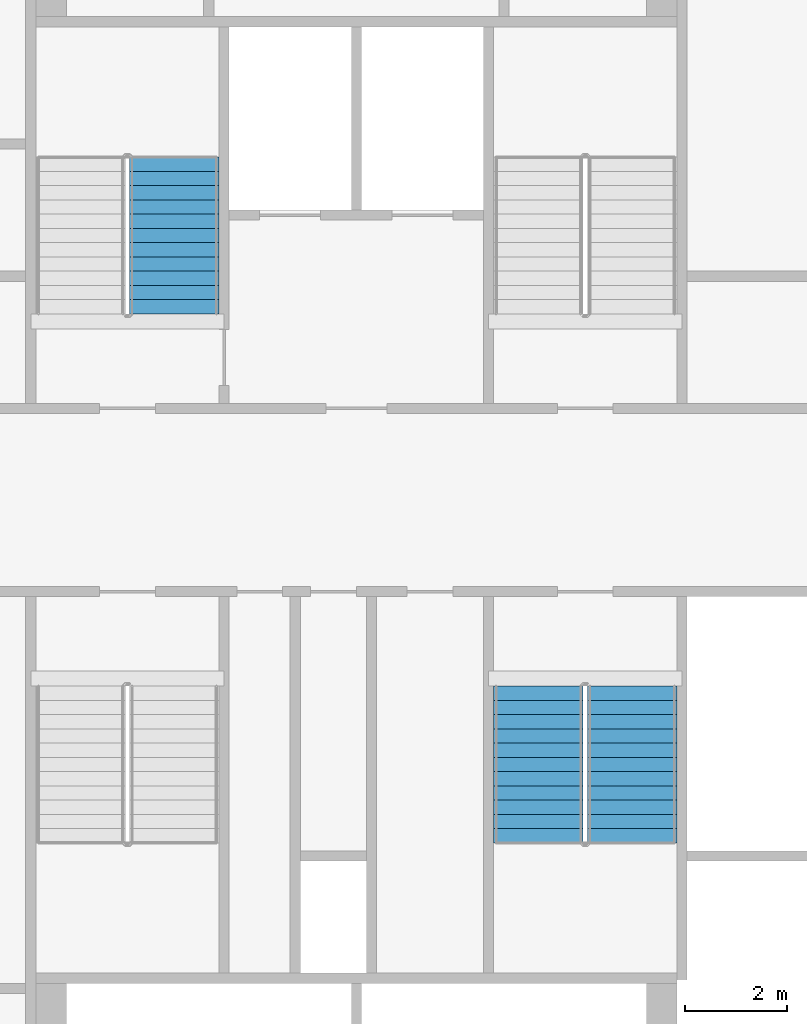
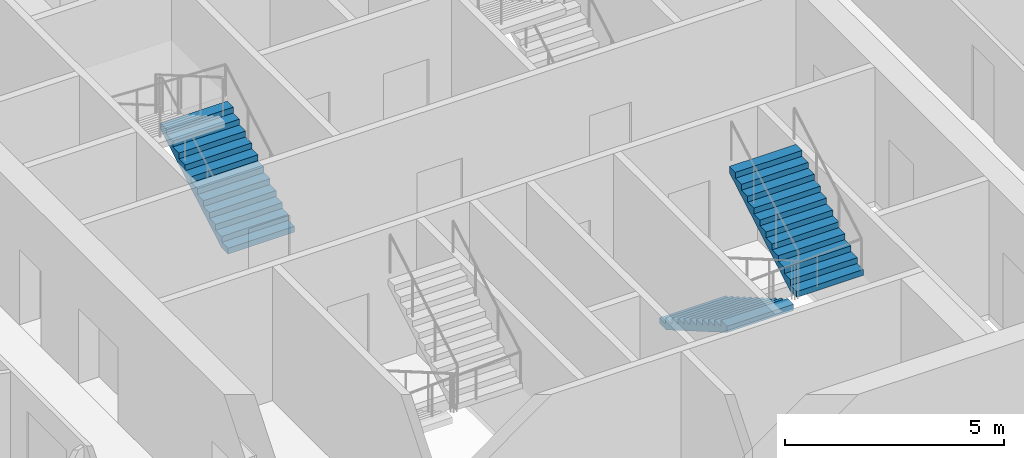
# One storey, part 9 of 15: 3 stair flights, 2 elements without a shape of their own.
"""IFC4 building model written with IfcOpenShell, lengths in metres."""

from ifc_helpers import new_model, si_unit, direction, frame, origin, place, context, subcontext, project, spatial, faceted_brep, material, type_object, element, aggregate, save


model = new_model("IFC4")

# Units and contexts
model_context = context("Model", 3, precision=1e-05, world=origin(), true_north=direction((0.0, 1.0)))
body_context = subcontext(model_context, "Body", "Model", "MODEL_VIEW")
ifc_project = project(units=[si_unit("LENGTHUNIT", "METRE"), si_unit("AREAUNIT", "SQUARE_METRE"), si_unit("VOLUMEUNIT", "CUBIC_METRE"), si_unit("PLANEANGLEUNIT", "RADIAN"), si_unit("MASSUNIT", "GRAM", prefix="KILO")], contexts=[model_context])

# Site, building, storey
site_placement = place(None, origin())
site = spatial("IfcSite", under=ifc_project, at=site_placement, CompositionType="ELEMENT")
building_placement = place(site_placement, origin())
building = spatial("IfcBuilding", under=site, at=building_placement, Name="Tarsis Ring Headquarters", CompositionType="ELEMENT")
storey_placement = place(building_placement, frame((0.0, 0.0, 212.10009765625)))
storey = spatial("IfcBuildingStorey", under=building, at=storey_placement, Name="L49", CompositionType="ELEMENT", Elevation=212.10009765625)

# Stair, stair flight
ifc_material_1 = material(Name="Core stair 1760")
stair_type = type_object("IfcStairType", Name="Core stair 1760", PredefinedType="HALF_TURN_STAIR", material=ifc_material_1)
stair_1_placement = place(storey_placement, origin())
stair_1 = element("IfcStair", 1, at=stair_1_placement, inside=storey, type_object=stair_type, Name="L49 Firefighting stair", PredefinedType="HALF_TURN_STAIR")
ifc_material_2 = material(Name="Concrete C40/50", Category="concrete")
stair_flight_type = type_object("IfcStairFlightType", Name="Core stair flight 1760", PredefinedType="STRAIGHT", material=ifc_material_2)
stair_flight_1_placement = place(storey_placement, frame((-3.580078125, 3.659912109375, 0.0), z_axis=(0.0, 0.0, 1.0), x_axis=(0.0, 1.0, 0.0)))
stair_flight_1 = element("IfcStairFlight", 2, at=stair_flight_1_placement, type_object=stair_flight_type, Name="Stair ST1 flight 1", NumberOfRisers=12, NumberOfTreads=11, PredefinedType="STRAIGHT", RiserHeight=0.1625, TreadLength=0.28, context=body_context, shape_type="Brep", body=[
    faceted_brep([(0.0, 0.8798828125, 0.0), (0.0, 0.8798828125, 0.16259765625), (0.280029296875, 0.8798828125, 0.16259765625), (0.280029296875, 0.8798828125, 0.324951171875), (0.56005859375, 0.8798828125, 0.324951171875), (0.56005859375, 0.8798828125, 0.487548828125), (0.840087890625, 0.8798828125, 0.487548828125), (0.840087890625, 0.8798828125, 0.64990234375), (1.1201171875, 0.8798828125, 0.64990234375), (1.1201171875, 0.8798828125, 0.8125), (1.39990234375, 0.8798828125, 0.8125), (1.39990234375, 0.8798828125, 0.97509765625), (1.679931640625, 0.8798828125, 0.97509765625), (1.679931640625, 0.8798828125, 1.137451171875), (1.9599609375, 0.8798828125, 1.137451171875), (1.9599609375, 0.8798828125, 1.300048828125), (2.239990234375, 0.8798828125, 1.300048828125), (2.239990234375, 0.8798828125, 1.46240234375), (2.52001953125, 0.8798828125, 1.46240234375), (2.52001953125, 0.8798828125, 1.625), (2.800048828125, 0.8798828125, 1.625), (2.800048828125, 0.8798828125, 1.78759765625), (3.080078125, 0.8798828125, 1.78759765625), (3.080078125, 0.8798828125, 1.6142578125), (0.298583984375, 0.8798828125, 0.0), (0.298583984375, -0.8798828125, 0.0), (3.080078125, -0.8798828125, 1.6142578125), (3.080078125, -0.8798828125, 1.78759765625), (2.800048828125, -0.8798828125, 1.78759765625), (2.800048828125, -0.8798828125, 1.625), (2.52001953125, -0.8798828125, 1.625), (2.52001953125, -0.8798828125, 1.46240234375), (2.239990234375, -0.8798828125, 1.46240234375), (2.239990234375, -0.8798828125, 1.300048828125), (1.9599609375, -0.8798828125, 1.300048828125), (1.9599609375, -0.8798828125, 1.137451171875), (1.679931640625, -0.8798828125, 1.137451171875), (1.679931640625, -0.8798828125, 0.97509765625), (1.39990234375, -0.8798828125, 0.97509765625), (1.39990234375, -0.8798828125, 0.8125), (1.1201171875, -0.8798828125, 0.8125), (1.1201171875, -0.8798828125, 0.64990234375), (0.840087890625, -0.8798828125, 0.64990234375), (0.840087890625, -0.8798828125, 0.487548828125), (0.56005859375, -0.8798828125, 0.487548828125), (0.56005859375, -0.8798828125, 0.324951171875), (0.280029296875, -0.8798828125, 0.324951171875), (0.280029296875, -0.8798828125, 0.16259765625), (0.0, -0.8798828125, 0.16259765625), (0.0, -0.8798828125, 0.0), (0.0, -0.43994140625, 0.16259765625), (0.0, -0.43994140625, 0.0), (0.0, 0.0, 0.16259765625), (0.0, 0.0, 0.0), (0.0, 0.43994140625, 0.16259765625), (0.0, 0.43994140625, 0.0), (0.280029296875, -0.43994140625, 0.16259765625), (0.280029296875, 0.0, 0.16259765625), (0.280029296875, 0.43994140625, 0.16259765625), (0.280029296875, -0.43994140625, 0.324951171875), (0.280029296875, 0.0, 0.324951171875), (0.280029296875, 0.43994140625, 0.324951171875), (0.56005859375, -0.43994140625, 0.324951171875), (0.56005859375, 0.0, 0.324951171875), (0.56005859375, 0.43994140625, 0.324951171875), (0.56005859375, -0.43994140625, 0.487548828125), (0.56005859375, 0.0, 0.487548828125), (0.56005859375, 0.43994140625, 0.487548828125), (0.840087890625, -0.43994140625, 0.487548828125), (0.840087890625, 0.0, 0.487548828125), (0.840087890625, 0.43994140625, 0.487548828125), (0.840087890625, -0.43994140625, 0.64990234375), (0.840087890625, 0.0, 0.64990234375), (0.840087890625, 0.43994140625, 0.64990234375), (1.1201171875, -0.43994140625, 0.64990234375), (1.1201171875, 0.0, 0.64990234375), (1.1201171875, 0.43994140625, 0.64990234375), (1.1201171875, -0.43994140625, 0.8125), (1.1201171875, 0.0, 0.8125), (1.1201171875, 0.43994140625, 0.8125), (1.39990234375, -0.43994140625, 0.8125), (1.39990234375, 0.0, 0.8125), (1.39990234375, 0.43994140625, 0.8125), (1.39990234375, -0.43994140625, 0.97509765625), (1.39990234375, 0.0, 0.97509765625), (1.39990234375, 0.43994140625, 0.97509765625), (1.679931640625, -0.43994140625, 0.97509765625), (1.679931640625, 0.0, 0.97509765625), (1.679931640625, 0.43994140625, 0.97509765625), (1.679931640625, -0.43994140625, 1.137451171875), (1.679931640625, 0.0, 1.137451171875), (1.679931640625, 0.43994140625, 1.137451171875), (1.9599609375, -0.43994140625, 1.137451171875), (1.9599609375, 0.0, 1.137451171875), (1.9599609375, 0.43994140625, 1.137451171875), (1.9599609375, -0.43994140625, 1.300048828125), (1.9599609375, 0.0, 1.300048828125), (1.9599609375, 0.43994140625, 1.300048828125), (2.239990234375, -0.43994140625, 1.300048828125), (2.239990234375, 0.0, 1.300048828125), (2.239990234375, 0.43994140625, 1.300048828125), (2.239990234375, -0.43994140625, 1.46240234375), (2.239990234375, 0.0, 1.46240234375), (2.239990234375, 0.43994140625, 1.46240234375), (2.52001953125, -0.43994140625, 1.46240234375), (2.52001953125, 0.0, 1.46240234375), (2.52001953125, 0.43994140625, 1.46240234375), (2.52001953125, -0.43994140625, 1.625), (2.52001953125, 0.0, 1.625), (2.52001953125, 0.43994140625, 1.625), (2.800048828125, -0.43994140625, 1.625), (2.800048828125, 0.0, 1.625), (2.800048828125, 0.43994140625, 1.625), (2.800048828125, -0.43994140625, 1.78759765625), (2.800048828125, 0.0, 1.78759765625), (2.800048828125, 0.43994140625, 1.78759765625), (3.080078125, -0.43994140625, 1.78759765625), (3.080078125, 0.0, 1.78759765625), (3.080078125, 0.43994140625, 1.78759765625), (3.080078125, -0.43994140625, 1.6142578125), (3.080078125, 0.0, 1.6142578125), (3.080078125, 0.43994140625, 1.6142578125), (0.298583984375, -0.43994140625, 0.0), (0.298583984375, 0.0, 0.0), (0.298583984375, 0.43994140625, 0.0)], [[[0, 1, 2, 3, 4, 5, 6, 7, 8, 9, 10, 11, 12, 13, 14, 15, 16, 17, 18, 19, 20, 21, 22, 23, 24]], [[25, 26, 27, 28, 29, 30, 31, 32, 33, 34, 35, 36, 37, 38, 39, 40, 41, 42, 43, 44, 45, 46, 47, 48, 49]], [[49, 48, 50, 51]], [[51, 50, 52, 53]], [[53, 52, 54, 55]], [[55, 54, 1, 0]], [[48, 47, 56, 50]], [[50, 56, 57, 52]], [[52, 57, 58, 54]], [[54, 58, 2, 1]], [[47, 46, 59, 56]], [[56, 59, 60, 57]], [[57, 60, 61, 58]], [[58, 61, 3, 2]], [[46, 45, 62, 59]], [[59, 62, 63, 60]], [[60, 63, 64, 61]], [[61, 64, 4, 3]], [[45, 44, 65, 62]], [[62, 65, 66, 63]], [[63, 66, 67, 64]], [[64, 67, 5, 4]], [[44, 43, 68, 65]], [[65, 68, 69, 66]], [[66, 69, 70, 67]], [[67, 70, 6, 5]], [[43, 42, 71, 68]], [[68, 71, 72, 69]], [[69, 72, 73, 70]], [[70, 73, 7, 6]], [[42, 41, 74, 71]], [[71, 74, 75, 72]], [[72, 75, 76, 73]], [[73, 76, 8, 7]], [[41, 40, 77, 74]], [[74, 77, 78, 75]], [[75, 78, 79, 76]], [[76, 79, 9, 8]], [[40, 39, 80, 77]], [[77, 80, 81, 78]], [[78, 81, 82, 79]], [[79, 82, 10, 9]], [[39, 38, 83, 80]], [[80, 83, 84, 81]], [[81, 84, 85, 82]], [[82, 85, 11, 10]], [[38, 37, 86, 83]], [[83, 86, 87, 84]], [[84, 87, 88, 85]], [[85, 88, 12, 11]], [[37, 36, 89, 86]], [[86, 89, 90, 87]], [[87, 90, 91, 88]], [[88, 91, 13, 12]], [[36, 35, 92, 89]], [[89, 92, 93, 90]], [[90, 93, 94, 91]], [[91, 94, 14, 13]], [[35, 34, 95, 92]], [[92, 95, 96, 93]], [[93, 96, 97, 94]], [[94, 97, 15, 14]], [[34, 33, 98, 95]], [[95, 98, 99, 96]], [[96, 99, 100, 97]], [[97, 100, 16, 15]], [[33, 32, 101, 98]], [[98, 101, 102, 99]], [[99, 102, 103, 100]], [[100, 103, 17, 16]], [[32, 31, 104, 101]], [[101, 104, 105, 102]], [[102, 105, 106, 103]], [[103, 106, 18, 17]], [[31, 30, 107, 104]], [[104, 107, 108, 105]], [[105, 108, 109, 106]], [[106, 109, 19, 18]], [[30, 29, 110, 107]], [[107, 110, 111, 108]], [[108, 111, 112, 109]], [[109, 112, 20, 19]], [[29, 28, 113, 110]], [[110, 113, 114, 111]], [[111, 114, 115, 112]], [[112, 115, 21, 20]], [[28, 27, 116, 113]], [[113, 116, 117, 114]], [[114, 117, 118, 115]], [[115, 118, 22, 21]], [[27, 26, 119, 116]], [[116, 119, 120, 117]], [[117, 120, 121, 118]], [[118, 121, 23, 22]], [[26, 25, 122, 119]], [[119, 122, 123, 120]], [[120, 123, 124, 121]], [[121, 124, 24, 23]], [[25, 49, 51, 122]], [[122, 51, 53, 123]], [[123, 53, 55, 124]], [[124, 55, 0, 24]]]),
])
aggregate(stair_1, [stair_flight_1])

# Stair, stair flights
stair_2_placement = place(storey_placement, origin())
stair_2 = element("IfcStair", 3, at=stair_2_placement, inside=storey, type_object=stair_type, Name="L49 Exit stair D", PredefinedType="HALF_TURN_STAIR")
stair_flight_2_placement = place(storey_placement, frame((3.580078125, -3.659912109375, 0.0), z_axis=(0.0, 0.0, 1.0), x_axis=(0.0, -1.0, 0.0)))
stair_flight_2 = element("IfcStairFlight", 4, at=stair_flight_2_placement, type_object=stair_flight_type, Name="Stair ST4 flight 1", NumberOfRisers=12, NumberOfTreads=11, PredefinedType="STRAIGHT", RiserHeight=0.1625, TreadLength=0.28, context=body_context, shape_type="Brep", body=[
    faceted_brep([(0.0, 0.8798828125, 0.0), (0.0, 0.8798828125, 0.16259765625), (0.280029296875, 0.8798828125, 0.16259765625), (0.280029296875, 0.8798828125, 0.324951171875), (0.56005859375, 0.8798828125, 0.324951171875), (0.56005859375, 0.8798828125, 0.487548828125), (0.840087890625, 0.8798828125, 0.487548828125), (0.840087890625, 0.8798828125, 0.64990234375), (1.1201171875, 0.8798828125, 0.64990234375), (1.1201171875, 0.8798828125, 0.8125), (1.39990234375, 0.8798828125, 0.8125), (1.39990234375, 0.8798828125, 0.97509765625), (1.679931640625, 0.8798828125, 0.97509765625), (1.679931640625, 0.8798828125, 1.137451171875), (1.9599609375, 0.8798828125, 1.137451171875), (1.9599609375, 0.8798828125, 1.300048828125), (2.239990234375, 0.8798828125, 1.300048828125), (2.239990234375, 0.8798828125, 1.46240234375), (2.52001953125, 0.8798828125, 1.46240234375), (2.52001953125, 0.8798828125, 1.625), (2.800048828125, 0.8798828125, 1.625), (2.800048828125, 0.8798828125, 1.78759765625), (3.080078125, 0.8798828125, 1.78759765625), (3.080078125, 0.8798828125, 1.6142578125), (0.298583984375, 0.8798828125, 0.0), (0.298583984375, -0.8798828125, 0.0), (3.080078125, -0.8798828125, 1.6142578125), (3.080078125, -0.8798828125, 1.78759765625), (2.800048828125, -0.8798828125, 1.78759765625), (2.800048828125, -0.8798828125, 1.625), (2.52001953125, -0.8798828125, 1.625), (2.52001953125, -0.8798828125, 1.46240234375), (2.239990234375, -0.8798828125, 1.46240234375), (2.239990234375, -0.8798828125, 1.300048828125), (1.9599609375, -0.8798828125, 1.300048828125), (1.9599609375, -0.8798828125, 1.137451171875), (1.679931640625, -0.8798828125, 1.137451171875), (1.679931640625, -0.8798828125, 0.97509765625), (1.39990234375, -0.8798828125, 0.97509765625), (1.39990234375, -0.8798828125, 0.8125), (1.1201171875, -0.8798828125, 0.8125), (1.1201171875, -0.8798828125, 0.64990234375), (0.840087890625, -0.8798828125, 0.64990234375), (0.840087890625, -0.8798828125, 0.487548828125), (0.56005859375, -0.8798828125, 0.487548828125), (0.56005859375, -0.8798828125, 0.324951171875), (0.280029296875, -0.8798828125, 0.324951171875), (0.280029296875, -0.8798828125, 0.16259765625), (0.0, -0.8798828125, 0.16259765625), (0.0, -0.8798828125, 0.0), (0.0, -0.43994140625, 0.16259765625), (0.0, -0.43994140625, 0.0), (0.0, 0.0, 0.16259765625), (0.0, 0.0, 0.0), (0.0, 0.43994140625, 0.16259765625), (0.0, 0.43994140625, 0.0), (0.280029296875, -0.43994140625, 0.16259765625), (0.280029296875, 0.0, 0.16259765625), (0.280029296875, 0.43994140625, 0.16259765625), (0.280029296875, -0.43994140625, 0.324951171875), (0.280029296875, 0.0, 0.324951171875), (0.280029296875, 0.43994140625, 0.324951171875), (0.56005859375, -0.43994140625, 0.324951171875), (0.56005859375, 0.0, 0.324951171875), (0.56005859375, 0.43994140625, 0.324951171875), (0.56005859375, -0.43994140625, 0.487548828125), (0.56005859375, 0.0, 0.487548828125), (0.56005859375, 0.43994140625, 0.487548828125), (0.840087890625, -0.43994140625, 0.487548828125), (0.840087890625, 0.0, 0.487548828125), (0.840087890625, 0.43994140625, 0.487548828125), (0.840087890625, -0.43994140625, 0.64990234375), (0.840087890625, 0.0, 0.64990234375), (0.840087890625, 0.43994140625, 0.64990234375), (1.1201171875, -0.43994140625, 0.64990234375), (1.1201171875, 0.0, 0.64990234375), (1.1201171875, 0.43994140625, 0.64990234375), (1.1201171875, -0.43994140625, 0.8125), (1.1201171875, 0.0, 0.8125), (1.1201171875, 0.43994140625, 0.8125), (1.39990234375, -0.43994140625, 0.8125), (1.39990234375, 0.0, 0.8125), (1.39990234375, 0.43994140625, 0.8125), (1.39990234375, -0.43994140625, 0.97509765625), (1.39990234375, 0.0, 0.97509765625), (1.39990234375, 0.43994140625, 0.97509765625), (1.679931640625, -0.43994140625, 0.97509765625), (1.679931640625, 0.0, 0.97509765625), (1.679931640625, 0.43994140625, 0.97509765625), (1.679931640625, -0.43994140625, 1.137451171875), (1.679931640625, 0.0, 1.137451171875), (1.679931640625, 0.43994140625, 1.137451171875), (1.9599609375, -0.43994140625, 1.137451171875), (1.9599609375, 0.0, 1.137451171875), (1.9599609375, 0.43994140625, 1.137451171875), (1.9599609375, -0.43994140625, 1.300048828125), (1.9599609375, 0.0, 1.300048828125), (1.9599609375, 0.43994140625, 1.300048828125), (2.239990234375, -0.43994140625, 1.300048828125), (2.239990234375, 0.0, 1.300048828125), (2.239990234375, 0.43994140625, 1.300048828125), (2.239990234375, -0.43994140625, 1.46240234375), (2.239990234375, 0.0, 1.46240234375), (2.239990234375, 0.43994140625, 1.46240234375), (2.52001953125, -0.43994140625, 1.46240234375), (2.52001953125, 0.0, 1.46240234375), (2.52001953125, 0.43994140625, 1.46240234375), (2.52001953125, -0.43994140625, 1.625), (2.52001953125, 0.0, 1.625), (2.52001953125, 0.43994140625, 1.625), (2.800048828125, -0.43994140625, 1.625), (2.800048828125, 0.0, 1.625), (2.800048828125, 0.43994140625, 1.625), (2.800048828125, -0.43994140625, 1.78759765625), (2.800048828125, 0.0, 1.78759765625), (2.800048828125, 0.43994140625, 1.78759765625), (3.080078125, -0.43994140625, 1.78759765625), (3.080078125, 0.0, 1.78759765625), (3.080078125, 0.43994140625, 1.78759765625), (3.080078125, -0.43994140625, 1.6142578125), (3.080078125, 0.0, 1.6142578125), (3.080078125, 0.43994140625, 1.6142578125), (0.298583984375, -0.43994140625, 0.0), (0.298583984375, 0.0, 0.0), (0.298583984375, 0.43994140625, 0.0)], [[[0, 1, 2, 3, 4, 5, 6, 7, 8, 9, 10, 11, 12, 13, 14, 15, 16, 17, 18, 19, 20, 21, 22, 23, 24]], [[25, 26, 27, 28, 29, 30, 31, 32, 33, 34, 35, 36, 37, 38, 39, 40, 41, 42, 43, 44, 45, 46, 47, 48, 49]], [[49, 48, 50, 51]], [[51, 50, 52, 53]], [[53, 52, 54, 55]], [[55, 54, 1, 0]], [[48, 47, 56, 50]], [[50, 56, 57, 52]], [[52, 57, 58, 54]], [[54, 58, 2, 1]], [[47, 46, 59, 56]], [[56, 59, 60, 57]], [[57, 60, 61, 58]], [[58, 61, 3, 2]], [[46, 45, 62, 59]], [[59, 62, 63, 60]], [[60, 63, 64, 61]], [[61, 64, 4, 3]], [[45, 44, 65, 62]], [[62, 65, 66, 63]], [[63, 66, 67, 64]], [[64, 67, 5, 4]], [[44, 43, 68, 65]], [[65, 68, 69, 66]], [[66, 69, 70, 67]], [[67, 70, 6, 5]], [[43, 42, 71, 68]], [[68, 71, 72, 69]], [[69, 72, 73, 70]], [[70, 73, 7, 6]], [[42, 41, 74, 71]], [[71, 74, 75, 72]], [[72, 75, 76, 73]], [[73, 76, 8, 7]], [[41, 40, 77, 74]], [[74, 77, 78, 75]], [[75, 78, 79, 76]], [[76, 79, 9, 8]], [[40, 39, 80, 77]], [[77, 80, 81, 78]], [[78, 81, 82, 79]], [[79, 82, 10, 9]], [[39, 38, 83, 80]], [[80, 83, 84, 81]], [[81, 84, 85, 82]], [[82, 85, 11, 10]], [[38, 37, 86, 83]], [[83, 86, 87, 84]], [[84, 87, 88, 85]], [[85, 88, 12, 11]], [[37, 36, 89, 86]], [[86, 89, 90, 87]], [[87, 90, 91, 88]], [[88, 91, 13, 12]], [[36, 35, 92, 89]], [[89, 92, 93, 90]], [[90, 93, 94, 91]], [[91, 94, 14, 13]], [[35, 34, 95, 92]], [[92, 95, 96, 93]], [[93, 96, 97, 94]], [[94, 97, 15, 14]], [[34, 33, 98, 95]], [[95, 98, 99, 96]], [[96, 99, 100, 97]], [[97, 100, 16, 15]], [[33, 32, 101, 98]], [[98, 101, 102, 99]], [[99, 102, 103, 100]], [[100, 103, 17, 16]], [[32, 31, 104, 101]], [[101, 104, 105, 102]], [[102, 105, 106, 103]], [[103, 106, 18, 17]], [[31, 30, 107, 104]], [[104, 107, 108, 105]], [[105, 108, 109, 106]], [[106, 109, 19, 18]], [[30, 29, 110, 107]], [[107, 110, 111, 108]], [[108, 111, 112, 109]], [[109, 112, 20, 19]], [[29, 28, 113, 110]], [[110, 113, 114, 111]], [[111, 114, 115, 112]], [[112, 115, 21, 20]], [[28, 27, 116, 113]], [[113, 116, 117, 114]], [[114, 117, 118, 115]], [[115, 118, 22, 21]], [[27, 26, 119, 116]], [[116, 119, 120, 117]], [[117, 120, 121, 118]], [[118, 121, 23, 22]], [[26, 25, 122, 119]], [[119, 122, 123, 120]], [[120, 123, 124, 121]], [[121, 124, 24, 23]], [[25, 49, 51, 122]], [[122, 51, 53, 123]], [[123, 53, 55, 124]], [[124, 55, 0, 24]]]),
])
stair_flight_3_placement = place(storey_placement, frame((5.419921875, -6.739990234375, 1.949951171875), z_axis=(0.0, 0.0, 1.0), x_axis=(0.0, 1.0, 0.0)))
stair_flight_3 = element("IfcStairFlight", 5, at=stair_flight_3_placement, type_object=stair_flight_type, Name="Stair ST4 flight 2", NumberOfRisers=12, NumberOfTreads=11, PredefinedType="STRAIGHT", RiserHeight=0.1625, TreadLength=0.28, context=body_context, shape_type="Brep", body=[
    faceted_brep([(0.0, 0.8798828125, 0.0), (0.0, 0.8798828125, 0.16259765625), (0.280029296875, 0.8798828125, 0.16259765625), (0.280029296875, 0.8798828125, 0.324951171875), (0.56005859375, 0.8798828125, 0.324951171875), (0.56005859375, 0.8798828125, 0.487548828125), (0.840087890625, 0.8798828125, 0.487548828125), (0.840087890625, 0.8798828125, 0.64990234375), (1.1201171875, 0.8798828125, 0.64990234375), (1.1201171875, 0.8798828125, 0.8125), (1.39990234375, 0.8798828125, 0.8125), (1.39990234375, 0.8798828125, 0.97509765625), (1.679931640625, 0.8798828125, 0.97509765625), (1.679931640625, 0.8798828125, 1.137451171875), (1.9599609375, 0.8798828125, 1.137451171875), (1.9599609375, 0.8798828125, 1.300048828125), (2.239990234375, 0.8798828125, 1.300048828125), (2.239990234375, 0.8798828125, 1.46240234375), (2.52001953125, 0.8798828125, 1.46240234375), (2.52001953125, 0.8798828125, 1.625), (2.800048828125, 0.8798828125, 1.625), (2.800048828125, 0.8798828125, 1.78759765625), (3.080078125, 0.8798828125, 1.78759765625), (3.080078125, 0.8798828125, 1.6142578125), (0.298583984375, 0.8798828125, 0.0), (0.298583984375, -0.8798828125, 0.0), (3.080078125, -0.8798828125, 1.6142578125), (3.080078125, -0.8798828125, 1.78759765625), (2.800048828125, -0.8798828125, 1.78759765625), (2.800048828125, -0.8798828125, 1.625), (2.52001953125, -0.8798828125, 1.625), (2.52001953125, -0.8798828125, 1.46240234375), (2.239990234375, -0.8798828125, 1.46240234375), (2.239990234375, -0.8798828125, 1.300048828125), (1.9599609375, -0.8798828125, 1.300048828125), (1.9599609375, -0.8798828125, 1.137451171875), (1.679931640625, -0.8798828125, 1.137451171875), (1.679931640625, -0.8798828125, 0.97509765625), (1.39990234375, -0.8798828125, 0.97509765625), (1.39990234375, -0.8798828125, 0.8125), (1.1201171875, -0.8798828125, 0.8125), (1.1201171875, -0.8798828125, 0.64990234375), (0.840087890625, -0.8798828125, 0.64990234375), (0.840087890625, -0.8798828125, 0.487548828125), (0.56005859375, -0.8798828125, 0.487548828125), (0.56005859375, -0.8798828125, 0.324951171875), (0.280029296875, -0.8798828125, 0.324951171875), (0.280029296875, -0.8798828125, 0.16259765625), (0.0, -0.8798828125, 0.16259765625), (0.0, -0.8798828125, 0.0), (0.0, -0.43994140625, 0.16259765625), (0.0, -0.43994140625, 0.0), (0.0, 0.0, 0.16259765625), (0.0, 0.0, 0.0), (0.0, 0.43994140625, 0.16259765625), (0.0, 0.43994140625, 0.0), (0.280029296875, -0.43994140625, 0.16259765625), (0.280029296875, 0.0, 0.16259765625), (0.280029296875, 0.43994140625, 0.16259765625), (0.280029296875, -0.43994140625, 0.324951171875), (0.280029296875, 0.0, 0.324951171875), (0.280029296875, 0.43994140625, 0.324951171875), (0.56005859375, -0.43994140625, 0.324951171875), (0.56005859375, 0.0, 0.324951171875), (0.56005859375, 0.43994140625, 0.324951171875), (0.56005859375, -0.43994140625, 0.487548828125), (0.56005859375, 0.0, 0.487548828125), (0.56005859375, 0.43994140625, 0.487548828125), (0.840087890625, -0.43994140625, 0.487548828125), (0.840087890625, 0.0, 0.487548828125), (0.840087890625, 0.43994140625, 0.487548828125), (0.840087890625, -0.43994140625, 0.64990234375), (0.840087890625, 0.0, 0.64990234375), (0.840087890625, 0.43994140625, 0.64990234375), (1.1201171875, -0.43994140625, 0.64990234375), (1.1201171875, 0.0, 0.64990234375), (1.1201171875, 0.43994140625, 0.64990234375), (1.1201171875, -0.43994140625, 0.8125), (1.1201171875, 0.0, 0.8125), (1.1201171875, 0.43994140625, 0.8125), (1.39990234375, -0.43994140625, 0.8125), (1.39990234375, 0.0, 0.8125), (1.39990234375, 0.43994140625, 0.8125), (1.39990234375, -0.43994140625, 0.97509765625), (1.39990234375, 0.0, 0.97509765625), (1.39990234375, 0.43994140625, 0.97509765625), (1.679931640625, -0.43994140625, 0.97509765625), (1.679931640625, 0.0, 0.97509765625), (1.679931640625, 0.43994140625, 0.97509765625), (1.679931640625, -0.43994140625, 1.137451171875), (1.679931640625, 0.0, 1.137451171875), (1.679931640625, 0.43994140625, 1.137451171875), (1.9599609375, -0.43994140625, 1.137451171875), (1.9599609375, 0.0, 1.137451171875), (1.9599609375, 0.43994140625, 1.137451171875), (1.9599609375, -0.43994140625, 1.300048828125), (1.9599609375, 0.0, 1.300048828125), (1.9599609375, 0.43994140625, 1.300048828125), (2.239990234375, -0.43994140625, 1.300048828125), (2.239990234375, 0.0, 1.300048828125), (2.239990234375, 0.43994140625, 1.300048828125), (2.239990234375, -0.43994140625, 1.46240234375), (2.239990234375, 0.0, 1.46240234375), (2.239990234375, 0.43994140625, 1.46240234375), (2.52001953125, -0.43994140625, 1.46240234375), (2.52001953125, 0.0, 1.46240234375), (2.52001953125, 0.43994140625, 1.46240234375), (2.52001953125, -0.43994140625, 1.625), (2.52001953125, 0.0, 1.625), (2.52001953125, 0.43994140625, 1.625), (2.800048828125, -0.43994140625, 1.625), (2.800048828125, 0.0, 1.625), (2.800048828125, 0.43994140625, 1.625), (2.800048828125, -0.43994140625, 1.78759765625), (2.800048828125, 0.0, 1.78759765625), (2.800048828125, 0.43994140625, 1.78759765625), (3.080078125, -0.43994140625, 1.78759765625), (3.080078125, 0.0, 1.78759765625), (3.080078125, 0.43994140625, 1.78759765625), (3.080078125, -0.43994140625, 1.6142578125), (3.080078125, 0.0, 1.6142578125), (3.080078125, 0.43994140625, 1.6142578125), (0.298583984375, -0.43994140625, 0.0), (0.298583984375, 0.0, 0.0), (0.298583984375, 0.43994140625, 0.0)], [[[0, 1, 2, 3, 4, 5, 6, 7, 8, 9, 10, 11, 12, 13, 14, 15, 16, 17, 18, 19, 20, 21, 22, 23, 24]], [[25, 26, 27, 28, 29, 30, 31, 32, 33, 34, 35, 36, 37, 38, 39, 40, 41, 42, 43, 44, 45, 46, 47, 48, 49]], [[49, 48, 50, 51]], [[51, 50, 52, 53]], [[53, 52, 54, 55]], [[55, 54, 1, 0]], [[48, 47, 56, 50]], [[50, 56, 57, 52]], [[52, 57, 58, 54]], [[54, 58, 2, 1]], [[47, 46, 59, 56]], [[56, 59, 60, 57]], [[57, 60, 61, 58]], [[58, 61, 3, 2]], [[46, 45, 62, 59]], [[59, 62, 63, 60]], [[60, 63, 64, 61]], [[61, 64, 4, 3]], [[45, 44, 65, 62]], [[62, 65, 66, 63]], [[63, 66, 67, 64]], [[64, 67, 5, 4]], [[44, 43, 68, 65]], [[65, 68, 69, 66]], [[66, 69, 70, 67]], [[67, 70, 6, 5]], [[43, 42, 71, 68]], [[68, 71, 72, 69]], [[69, 72, 73, 70]], [[70, 73, 7, 6]], [[42, 41, 74, 71]], [[71, 74, 75, 72]], [[72, 75, 76, 73]], [[73, 76, 8, 7]], [[41, 40, 77, 74]], [[74, 77, 78, 75]], [[75, 78, 79, 76]], [[76, 79, 9, 8]], [[40, 39, 80, 77]], [[77, 80, 81, 78]], [[78, 81, 82, 79]], [[79, 82, 10, 9]], [[39, 38, 83, 80]], [[80, 83, 84, 81]], [[81, 84, 85, 82]], [[82, 85, 11, 10]], [[38, 37, 86, 83]], [[83, 86, 87, 84]], [[84, 87, 88, 85]], [[85, 88, 12, 11]], [[37, 36, 89, 86]], [[86, 89, 90, 87]], [[87, 90, 91, 88]], [[88, 91, 13, 12]], [[36, 35, 92, 89]], [[89, 92, 93, 90]], [[90, 93, 94, 91]], [[91, 94, 14, 13]], [[35, 34, 95, 92]], [[92, 95, 96, 93]], [[93, 96, 97, 94]], [[94, 97, 15, 14]], [[34, 33, 98, 95]], [[95, 98, 99, 96]], [[96, 99, 100, 97]], [[97, 100, 16, 15]], [[33, 32, 101, 98]], [[98, 101, 102, 99]], [[99, 102, 103, 100]], [[100, 103, 17, 16]], [[32, 31, 104, 101]], [[101, 104, 105, 102]], [[102, 105, 106, 103]], [[103, 106, 18, 17]], [[31, 30, 107, 104]], [[104, 107, 108, 105]], [[105, 108, 109, 106]], [[106, 109, 19, 18]], [[30, 29, 110, 107]], [[107, 110, 111, 108]], [[108, 111, 112, 109]], [[109, 112, 20, 19]], [[29, 28, 113, 110]], [[110, 113, 114, 111]], [[111, 114, 115, 112]], [[112, 115, 21, 20]], [[28, 27, 116, 113]], [[113, 116, 117, 114]], [[114, 117, 118, 115]], [[115, 118, 22, 21]], [[27, 26, 119, 116]], [[116, 119, 120, 117]], [[117, 120, 121, 118]], [[118, 121, 23, 22]], [[26, 25, 122, 119]], [[119, 122, 123, 120]], [[120, 123, 124, 121]], [[121, 124, 24, 23]], [[25, 49, 51, 122]], [[122, 51, 53, 123]], [[123, 53, 55, 124]], [[124, 55, 0, 24]]]),
])
aggregate(stair_2, [stair_flight_2, stair_flight_3])

save(model, "model.ifc")
